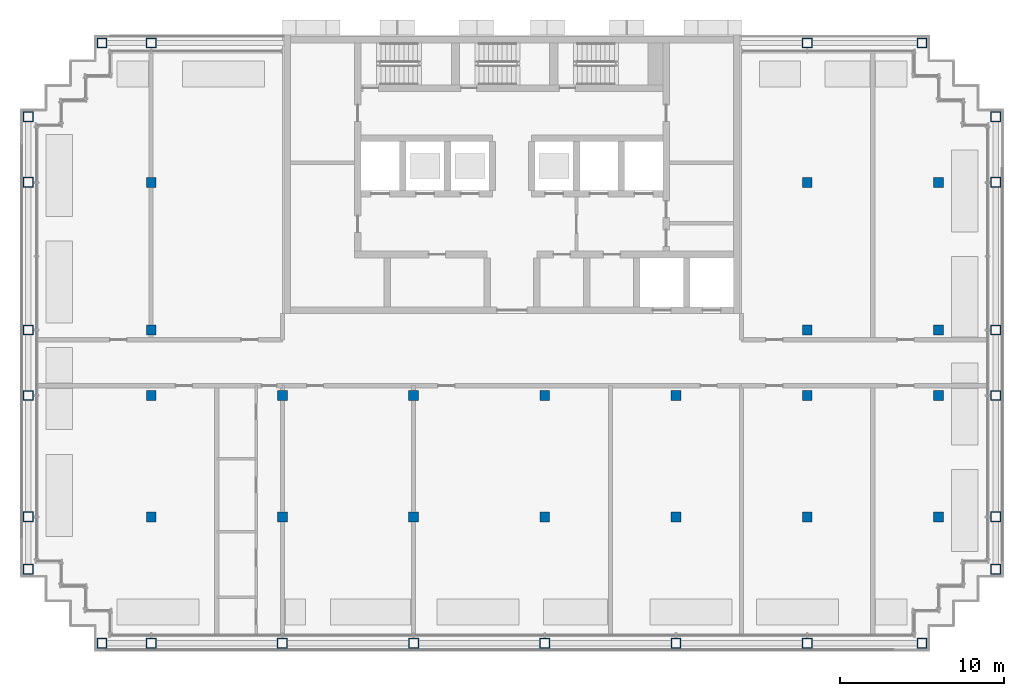
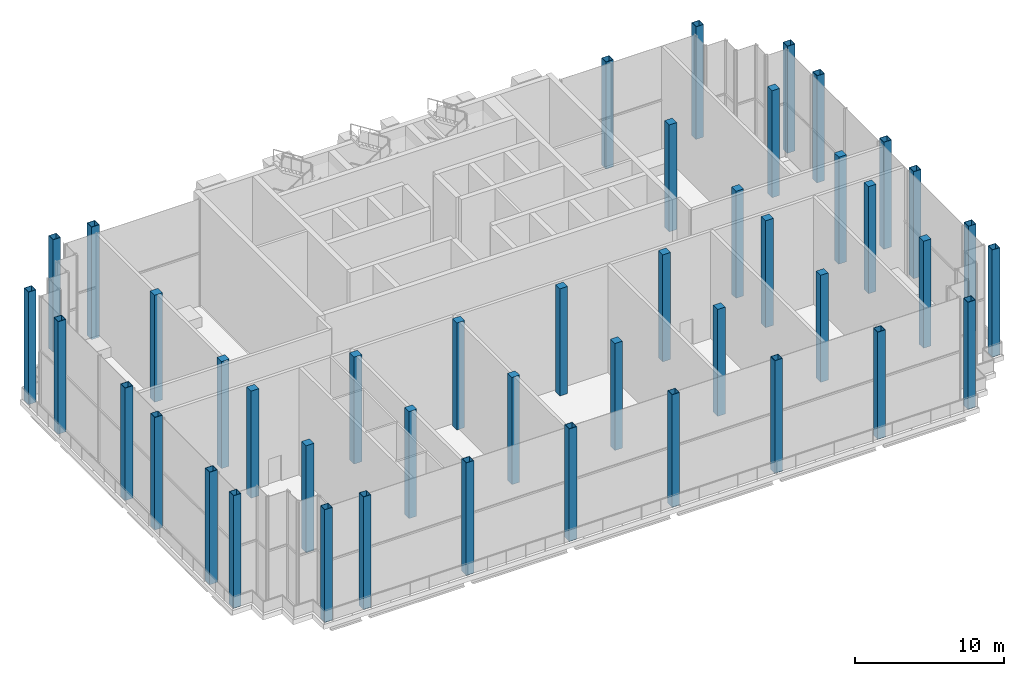
# One storey, part 1 of 15: 44 columns.
"""IFC4 building model written with IfcOpenShell, lengths in metres."""

from ifc_helpers import new_model, si_unit, direction, frame, origin, origin_2d, place, context, subcontext, project, spatial, rectangle, hollow_rectangle, extrude, material, material_profile, profile_set, type_object, element, save


model = new_model("IFC4")

# Units and contexts
model_context = context("Model", 3, precision=1e-05, world=origin(), true_north=direction((0.0, 1.0)))
body_context = subcontext(model_context, "Body", "Model", "MODEL_VIEW")
ifc_project = project(units=[si_unit("LENGTHUNIT", "METRE"), si_unit("AREAUNIT", "SQUARE_METRE"), si_unit("VOLUMEUNIT", "CUBIC_METRE"), si_unit("PLANEANGLEUNIT", "RADIAN"), si_unit("MASSUNIT", "GRAM", prefix="KILO")], contexts=[model_context])

# Site, building, storey
site_placement = place(None, origin())
site = spatial("IfcSite", under=ifc_project, at=site_placement, CompositionType="ELEMENT")
building_placement = place(site_placement, origin())
building = spatial("IfcBuilding", under=site, at=building_placement, Name="Vidyagriha Tower", CompositionType="ELEMENT")
storey_placement = place(building_placement, frame((0.0, 0.0, 239.60009765625)))
storey = spatial("IfcBuildingStorey", under=building, at=storey_placement, Name="L63", CompositionType="ELEMENT", Elevation=239.60009765625)

# Columns
ifc_material_1 = material(Name="Steel ASTM A572 Grade 50", Category="steel")
ifc_material_profile_1 = material_profile(ifc_material_1, hollow_rectangle(XDim=0.60009765625, YDim=0.60009765625, WallThickness=0.030029296875, at=origin_2d()), Name="BOX 600x600x30")
ifc_profile_set_1 = profile_set([ifc_material_profile_1], Name="Steel ASTM A572 Grade 50")
column_type_1 = type_object("IfcColumnType", Name="Exoskeleton column BOX 600x600x30", PredefinedType="COLUMN", material=ifc_profile_set_1)
for number, where, name in (
    (1, (-25.0, -17.10009765625, 0.0), "st-col-L63-B5-001"),
    (2, (-22.0, -17.10009765625, 0.0), "st-col-L63-B5-002"),
    (3, (-14.0, -17.10009765625, 0.0), "st-col-L63-B5-003"),
    (4, (-6.0, -17.10009765625, 0.0), "st-col-L63-B5-004"),
    (5, (2.0, -17.10009765625, 0.0), "st-col-L63-B5-005"),
    (6, (10.0, -17.10009765625, 0.0), "st-col-L63-B5-006"),
):
    element("IfcColumn", number, at=place(storey_placement, frame(where)), inside=storey, type_object=column_type_1, Name=name, PredefinedType="COLUMN", context=body_context, shape_type="SweptSolid", body=[
        extrude(hollow_rectangle(XDim=0.60009765625, YDim=0.60009765625, WallThickness=0.030029296875, at=origin_2d()), origin(), (0.0, 0.0, 1.0), 9.25),
    ])
for number, where, name in (
    (7, (18.0, -17.10009765625, 0.0), "st-col-L63-B5-007"),
    (8, (25.0, -17.10009765625, 0.0), "st-col-L63-B5-008"),
):
    element("IfcColumn", number, at=place(storey_placement, frame(where)), inside=storey, type_object=column_type_1, Name=name, PredefinedType="COLUMN", context=body_context, shape_type="SweptSolid", body=[
        extrude(hollow_rectangle(XDim=0.60009765625, YDim=0.60009765625, WallThickness=0.030029296875, at=origin_2d()), origin(), (0.0, 0.0, 1.0), 8.7998046875),
    ])
column_1_placement = place(storey_placement, frame((-29.5, -12.60009765625, 0.0)))
element("IfcColumn", 9, at=column_1_placement, inside=storey, type_object=column_type_1, Name="st-col-L63-B5-009", PredefinedType="COLUMN", context=body_context, shape_type="SweptSolid", body=[
    extrude(hollow_rectangle(XDim=0.60009765625, YDim=0.60009765625, WallThickness=0.030029296875, at=origin_2d()), origin(), (0.0, 0.0, 1.0), 9.25),
])
column_2_placement = place(storey_placement, frame((29.5, -12.60009765625, 0.0)))
element("IfcColumn", 10, at=column_2_placement, inside=storey, type_object=column_type_1, Name="st-col-L63-B5-010", PredefinedType="COLUMN", context=body_context, shape_type="SweptSolid", body=[
    extrude(hollow_rectangle(XDim=0.60009765625, YDim=0.60009765625, WallThickness=0.030029296875, at=origin_2d()), origin(), (0.0, 0.0, 1.0), 8.7998046875),
])
column_3_placement = place(storey_placement, frame((-29.5, -9.39990234375, 0.0)))
element("IfcColumn", 11, at=column_3_placement, inside=storey, type_object=column_type_1, Name="st-col-L63-B5-011", PredefinedType="COLUMN", context=body_context, shape_type="SweptSolid", body=[
    extrude(hollow_rectangle(XDim=0.60009765625, YDim=0.60009765625, WallThickness=0.030029296875, at=origin_2d()), origin(), (0.0, 0.0, 1.0), 9.25),
])
column_4_placement = place(storey_placement, frame((29.5, -9.39990234375, 0.0)))
element("IfcColumn", 12, at=column_4_placement, inside=storey, type_object=column_type_1, Name="st-col-L63-B5-019", PredefinedType="COLUMN", context=body_context, shape_type="SweptSolid", body=[
    extrude(hollow_rectangle(XDim=0.60009765625, YDim=0.60009765625, WallThickness=0.030029296875, at=origin_2d()), origin(), (0.0, 0.0, 1.0), 8.7998046875),
])
column_5_placement = place(storey_placement, frame((-29.5, -2.0, 0.0)))
element("IfcColumn", 13, at=column_5_placement, inside=storey, type_object=column_type_1, Name="st-col-L63-B5-020", PredefinedType="COLUMN", context=body_context, shape_type="SweptSolid", body=[
    extrude(hollow_rectangle(XDim=0.60009765625, YDim=0.60009765625, WallThickness=0.030029296875, at=origin_2d()), origin(), (0.0, 0.0, 1.0), 9.25),
])
column_6_placement = place(storey_placement, frame((29.5, -2.0, 0.0)))
element("IfcColumn", 14, at=column_6_placement, inside=storey, type_object=column_type_1, Name="st-col-L63-B5-028", PredefinedType="COLUMN", context=body_context, shape_type="SweptSolid", body=[
    extrude(hollow_rectangle(XDim=0.60009765625, YDim=0.60009765625, WallThickness=0.030029296875, at=origin_2d()), origin(), (0.0, 0.0, 1.0), 8.7998046875),
])
column_7_placement = place(storey_placement, frame((-29.5, 2.0, 0.0)))
element("IfcColumn", 15, at=column_7_placement, inside=storey, type_object=column_type_1, Name="st-col-L63-B5-029", PredefinedType="COLUMN", context=body_context, shape_type="SweptSolid", body=[
    extrude(hollow_rectangle(XDim=0.60009765625, YDim=0.60009765625, WallThickness=0.030029296875, at=origin_2d()), origin(), (0.0, 0.0, 1.0), 9.25),
])
column_8_placement = place(storey_placement, frame((29.5, 2.0, 0.0)))
element("IfcColumn", 16, at=column_8_placement, inside=storey, type_object=column_type_1, Name="st-col-L63-B5-033", PredefinedType="COLUMN", context=body_context, shape_type="SweptSolid", body=[
    extrude(hollow_rectangle(XDim=0.60009765625, YDim=0.60009765625, WallThickness=0.030029296875, at=origin_2d()), origin(), (0.0, 0.0, 1.0), 8.7998046875),
])
column_9_placement = place(storey_placement, frame((-29.5, 11.0, 0.0)))
element("IfcColumn", 17, at=column_9_placement, inside=storey, type_object=column_type_1, Name="st-col-L63-B5-034", PredefinedType="COLUMN", context=body_context, shape_type="SweptSolid", body=[
    extrude(hollow_rectangle(XDim=0.60009765625, YDim=0.60009765625, WallThickness=0.030029296875, at=origin_2d()), origin(), (0.0, 0.0, 1.0), 9.25),
])
column_10_placement = place(storey_placement, frame((29.5, 11.0, 0.0)))
element("IfcColumn", 18, at=column_10_placement, inside=storey, type_object=column_type_1, Name="st-col-L63-B5-038", PredefinedType="COLUMN", context=body_context, shape_type="SweptSolid", body=[
    extrude(hollow_rectangle(XDim=0.60009765625, YDim=0.60009765625, WallThickness=0.030029296875, at=origin_2d()), origin(), (0.0, 0.0, 1.0), 8.7998046875),
])
column_11_placement = place(storey_placement, frame((-29.5, 15.0, 0.0)))
element("IfcColumn", 19, at=column_11_placement, inside=storey, type_object=column_type_1, Name="st-col-L63-B5-039", PredefinedType="COLUMN", context=body_context, shape_type="SweptSolid", body=[
    extrude(hollow_rectangle(XDim=0.60009765625, YDim=0.60009765625, WallThickness=0.030029296875, at=origin_2d()), origin(), (0.0, 0.0, 1.0), 9.25),
])
column_12_placement = place(storey_placement, frame((29.5, 15.0, 0.0)))
element("IfcColumn", 20, at=column_12_placement, inside=storey, type_object=column_type_1, Name="st-col-L63-B5-040", PredefinedType="COLUMN", context=body_context, shape_type="SweptSolid", body=[
    extrude(hollow_rectangle(XDim=0.60009765625, YDim=0.60009765625, WallThickness=0.030029296875, at=origin_2d()), origin(), (0.0, 0.0, 1.0), 8.7998046875),
])
for number, where, name in (
    (21, (-25.0, 19.5, 0.0), "st-col-L63-B5-041"),
    (22, (-22.0, 19.5, 0.0), "st-col-L63-B5-042"),
):
    element("IfcColumn", number, at=place(storey_placement, frame(where)), inside=storey, type_object=column_type_1, Name=name, PredefinedType="COLUMN", context=body_context, shape_type="SweptSolid", body=[
        extrude(hollow_rectangle(XDim=0.60009765625, YDim=0.60009765625, WallThickness=0.030029296875, at=origin_2d()), origin(), (0.0, 0.0, 1.0), 9.25),
    ])
column_13_placement = place(storey_placement, frame((18.0, 19.5, 0.0)))
element("IfcColumn", 23, at=column_13_placement, inside=storey, type_object=column_type_1, Name="st-col-L63-B5-043", PredefinedType="COLUMN", context=body_context, shape_type="SweptSolid", body=[
    extrude(hollow_rectangle(XDim=0.60009765625, YDim=0.60009765625, WallThickness=0.030029296875, at=origin_2d()), origin(), (0.0, 0.0, 1.0), 8.7998046875),
])
column_14_placement = place(storey_placement, frame((25.0, 19.5, 0.0)))
element("IfcColumn", 24, at=column_14_placement, inside=storey, type_object=column_type_1, Name="st-col-L63-B5-044", PredefinedType="COLUMN", context=body_context, shape_type="SweptSolid", body=[
    extrude(hollow_rectangle(XDim=0.60009765625, YDim=0.60009765625, WallThickness=0.030029296875, at=origin_2d()), origin(), (0.0, 0.0, 1.0), 9.25),
])
ifc_material_2 = material(Name="Concrete C60/75", Category="concrete")
ifc_material_profile_2 = material_profile(ifc_material_2, rectangle(XDim=0.60009765625, YDim=0.60009765625, at=origin_2d()), Name="RC 600x600")
ifc_profile_set_2 = profile_set([ifc_material_profile_2], Name="Concrete C60/75")
column_type_2 = type_object("IfcColumnType", Name="Frame column RC 600x600", PredefinedType="COLUMN", material=ifc_profile_set_2)
for number, where, name in (
    (25, (-22.0, -9.39990234375, 0.0), "st-col-L63-B5-012"),
    (26, (-14.0, -9.39990234375, 0.0), "st-col-L63-B5-013"),
    (27, (-6.0, -9.39990234375, 0.0), "st-col-L63-B5-014"),
    (28, (2.0, -9.39990234375, 0.0), "st-col-L63-B5-015"),
    (29, (10.0, -9.39990234375, 0.0), "st-col-L63-B5-016"),
    (30, (18.0, -9.39990234375, 0.0), "st-col-L63-B5-017"),
    (31, (26.0, -9.39990234375, 0.0), "st-col-L63-B5-018"),
    (32, (-22.0, -2.0, 0.0), "st-col-L63-B5-021"),
    (33, (-14.0, -2.0, 0.0), "st-col-L63-B5-022"),
    (34, (-6.0, -2.0, 0.0), "st-col-L63-B5-023"),
    (35, (2.0, -2.0, 0.0), "st-col-L63-B5-024"),
    (36, (10.0, -2.0, 0.0), "st-col-L63-B5-025"),
    (37, (18.0, -2.0, 0.0), "st-col-L63-B5-026"),
    (38, (26.0, -2.0, 0.0), "st-col-L63-B5-027"),
    (39, (-22.0, 2.0, 0.0), "st-col-L63-B5-030"),
    (40, (18.0, 2.0, 0.0), "st-col-L63-B5-031"),
    (41, (26.0, 2.0, 0.0), "st-col-L63-B5-032"),
    (42, (-22.0, 11.0, 0.0), "st-col-L63-B5-035"),
    (43, (18.0, 11.0, 0.0), "st-col-L63-B5-036"),
    (44, (26.0, 11.0, 0.0), "st-col-L63-B5-037"),
):
    element("IfcColumn", number, at=place(storey_placement, frame(where)), inside=storey, type_object=column_type_2, Name=name, PredefinedType="COLUMN", context=body_context, shape_type="SweptSolid", body=[
        extrude(rectangle(XDim=0.60009765625, YDim=0.60009765625, at=origin_2d()), origin(), (0.0, 0.0, 1.0), 8.7998046875),
    ])

save(model, "model.ifc")
